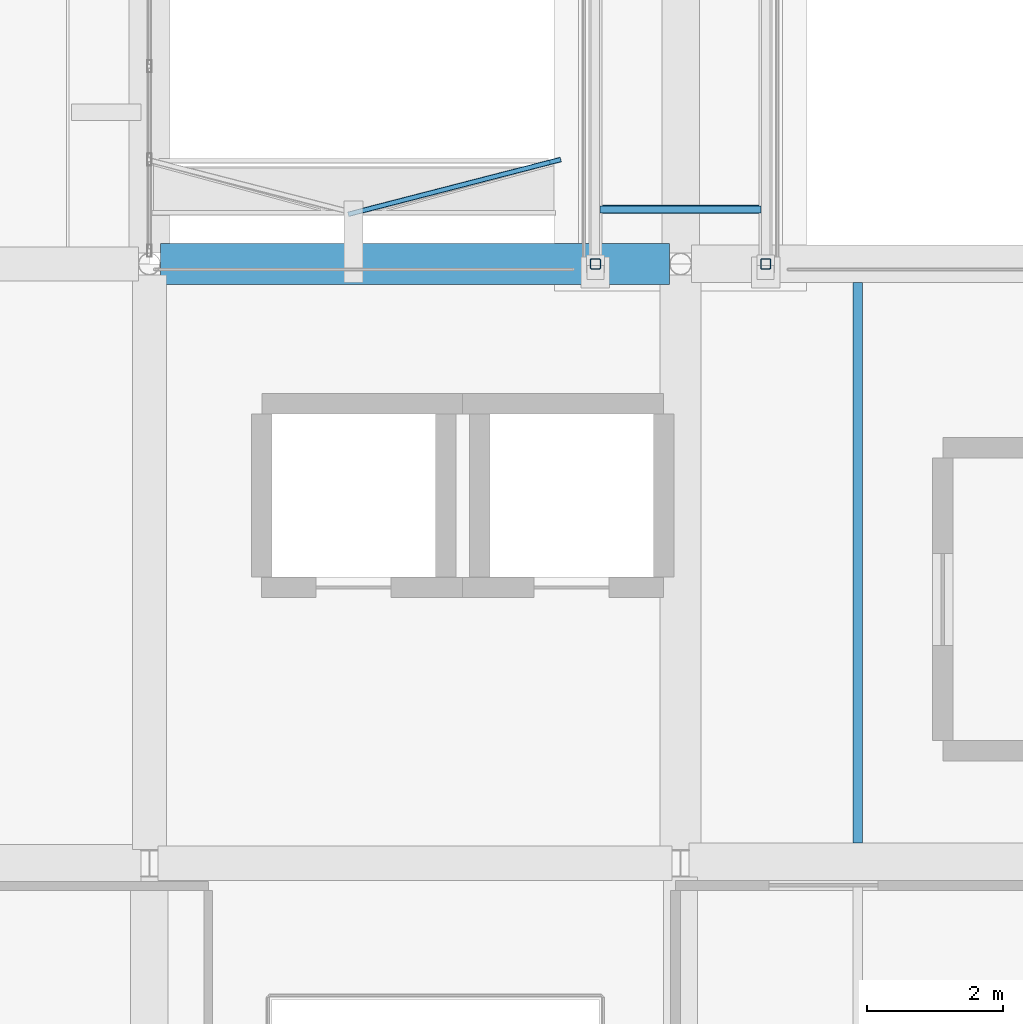
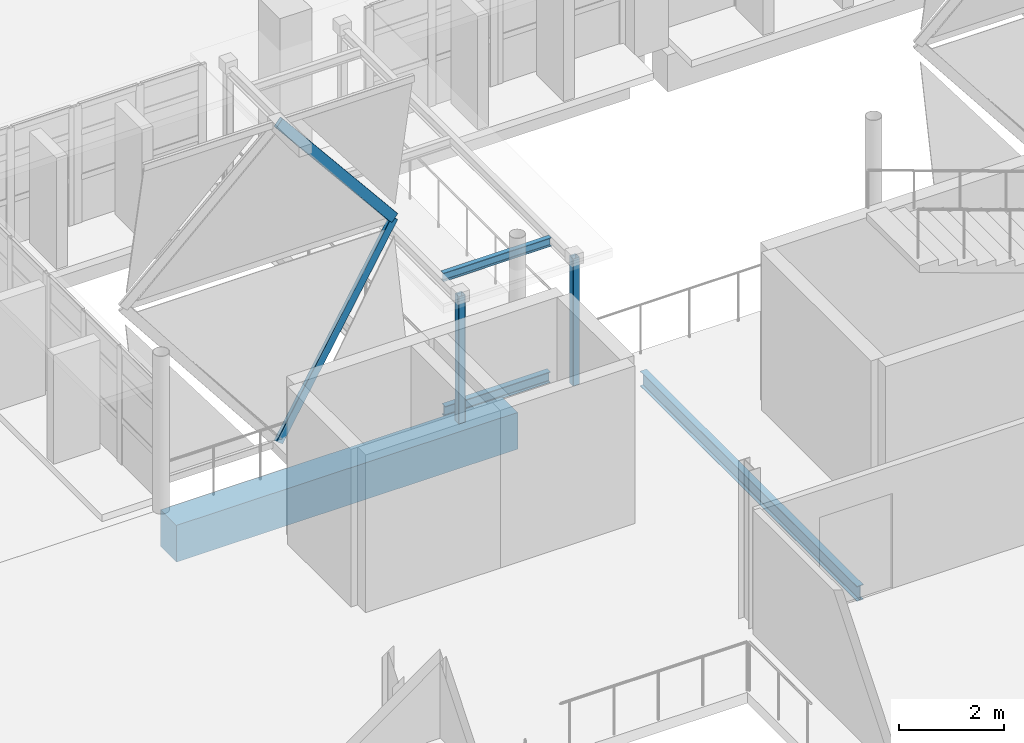
# One storey, part 11 of 80: 4 beams, 4 members, 1 element without a shape of its own.
"""IFC4 building model written with IfcOpenShell, lengths in metres."""

from ifc_helpers import new_model, si_unit, direction, frame, origin, origin_2d, place, context, subcontext, project, spatial, rectangle, hollow_rectangle, i_section, extrude, material, material_profile, profile_set, type_object, element, aggregate, save


model = new_model("IFC4")

# Units and contexts
model_context = context("Model", 3, precision=1e-05, world=origin(), true_north=direction((0.0, 1.0)))
body_context = subcontext(model_context, "Body", "Model", "MODEL_VIEW")
ifc_project = project(units=[si_unit("LENGTHUNIT", "METRE"), si_unit("AREAUNIT", "SQUARE_METRE"), si_unit("VOLUMEUNIT", "CUBIC_METRE"), si_unit("PLANEANGLEUNIT", "RADIAN"), si_unit("MASSUNIT", "GRAM", prefix="KILO")], contexts=[model_context])

# Site, building, storey
site_placement = place(None, origin())
site = spatial("IfcSite", under=ifc_project, at=site_placement, CompositionType="ELEMENT")
building_placement = place(site_placement, origin())
building = spatial("IfcBuilding", under=site, at=building_placement, Name="Varnakota Cinema and Media Centre", CompositionType="ELEMENT")
storey_placement = place(building_placement, frame((0.0, 0.0, 4.5)))
storey = spatial("IfcBuildingStorey", under=building, at=storey_placement, Name="L01", CompositionType="ELEMENT", Elevation=4.5)

# Beams
ifc_material_1 = material(Name="Concrete M35", Category="concrete")
ifc_material_profile_1 = material_profile(ifc_material_1, rectangle(XDim=0.60009765625, YDim=0.85009765625, at=origin_2d()), Name="RCB 600x850")
ifc_profile_set_1 = profile_set([ifc_material_profile_1], Name="Concrete M35")
beam_type_1 = type_object("IfcBeamType", Name="BM-RC-600x850", PredefinedType="BEAM", material=ifc_profile_set_1)
beam_1_placement = place(storey_placement, frame((51.761962890625, 26.39990234375, -0.675048828125), z_axis=(1.0, 0.0, 0.0), x_axis=(0.0, 1.0, 0.0)))
element("IfcBeam", 1, at=beam_1_placement, inside=storey, type_object=beam_type_1, Name="L01 girder G-H/4", PredefinedType="BEAM", context=body_context, shape_type="SweptSolid", body=[
    extrude(rectangle(XDim=0.60009765625, YDim=0.85009765625, at=origin_2d()), origin(), (0.0, 0.0, 1.0), 7.47607421875),
])
ifc_material_2 = material(Name="Structural steel Grade 350 (E350)", Category="steel")
ifc_material_profile_2 = material_profile(ifc_material_2, i_section(OverallWidth=0.10009765625, OverallDepth=0.199951171875, WebThickness=0.005615234375, FlangeThickness=0.0107421875, FilletRadius=0.010986328125, at=origin_2d()), Name="ISMB 200")
ifc_profile_set_2 = profile_set([ifc_material_profile_2], Name="Structural steel Grade 350 (E350)")
beam_type_2 = type_object("IfcBeamType", Name="BM-ST-ISMB200", PredefinedType="JOIST", material=ifc_profile_set_2)
beam_2_placement = place(storey_placement, frame((58.219970703125, 27.199951171875, 2.590087890625), z_axis=(1.0, 0.0, 0.0), x_axis=(0.0, 1.0, 0.0)))
element("IfcBeam", 2, at=beam_2_placement, inside=storey, type_object=beam_type_2, Name="L01 Chowk sky-bridge BR1 canopy tie 1", PredefinedType="JOIST", context=body_context, shape_type="SweptSolid", body=[
    extrude(i_section(OverallWidth=0.10009765625, OverallDepth=0.199951171875, WebThickness=0.005615234375, FlangeThickness=0.0107421875, FilletRadius=0.010986328125, at=origin_2d()), origin(), (0.0, 0.0, 1.0), 2.360107421875),
])
ifc_material_3 = material(Name="Structural steel Grade 350 (E350)", Category="steel")
ifc_material_profile_3 = material_profile(ifc_material_3, i_section(OverallWidth=0.125, OverallDepth=0.25, WebThickness=0.0068359375, FlangeThickness=0.012451171875, FilletRadius=0.012939453125, at=origin_2d()), Name="ISMB 250")
ifc_profile_set_3 = profile_set([ifc_material_profile_3], Name="Structural steel Grade 350 (E350)")
beam_type_3 = type_object("IfcBeamType", Name="BM-ST-ISMB250", PredefinedType="JOIST", material=ifc_profile_set_3)
beam_3_placement = place(storey_placement, frame((58.25, 27.199951171875, -0.52490234375), z_axis=(1.0, 0.0, 0.0), x_axis=(0.0, 1.0, 0.0)))
element("IfcBeam", 3, at=beam_3_placement, inside=storey, type_object=beam_type_3, Name="L01 Chowk sky-bridge BR1 cross beam 1", PredefinedType="JOIST", context=body_context, shape_type="SweptSolid", body=[
    extrude(i_section(OverallWidth=0.125, OverallDepth=0.25, WebThickness=0.0068359375, FlangeThickness=0.012451171875, FilletRadius=0.012939453125, at=origin_2d()), origin(), (0.0, 0.0, 1.0), 2.300048828125),
])
ifc_material_4 = material(Name="Structural steel Grade 350 (E350)", Category="steel")
ifc_material_profile_4 = material_profile(ifc_material_4, i_section(OverallWidth=0.139892578125, OverallDepth=0.35009765625, WebThickness=0.008056640625, FlangeThickness=0.01416015625, FilletRadius=0.013916015625, at=origin_2d()), Name="ISMB 350")
ifc_profile_set_4 = profile_set([ifc_material_profile_4], Name="Structural steel Grade 350 (E350)")
beam_type_4 = type_object("IfcBeamType", Name="BM-ST-ISMB350", PredefinedType="JOIST", material=ifc_profile_set_4)
beam_4_placement = place(storey_placement, frame((62.0, 17.89990234375, -0.425048828125), z_axis=(0.0, 1.0, 0.0), x_axis=(-1.0, 0.0, 0.0)))
element("IfcBeam", 4, at=beam_4_placement, inside=storey, type_object=beam_type_4, Name="L01 steel joist H-J/3-4 #1", PredefinedType="JOIST", context=body_context, shape_type="SweptSolid", body=[
    extrude(i_section(OverallWidth=0.139892578125, OverallDepth=0.35009765625, WebThickness=0.008056640625, FlangeThickness=0.01416015625, FilletRadius=0.013916015625, at=origin_2d()), origin(), (0.0, 0.0, 1.0), 8.22509765625),
])

# Curtain wall, members
ifc_material_5 = material(Name="Anodised golden-bronze aluminium AW-6063", Category="aluminium")
curtain_wall_type = type_object("IfcCurtainWallType", Name="CW-DMD-600x750", PredefinedType="USERDEFINED", material=ifc_material_5)
curtain_wall_placement = place(storey_placement, origin())
curtain_wall = element("IfcCurtainWall", 5, at=curtain_wall_placement, inside=storey, type_object=curtain_wall_type, Name="L01 folded diamond foyer curtain wall CW-V6DMD-N-T1W-D01", ObjectType="DIAMOND FOLDED CURTAIN WALL", PredefinedType="USERDEFINED")
ifc_material_6 = material(Name="Anodised golden-bronze aluminium AW-6063", Category="aluminium")
ifc_material_profile_5 = material_profile(ifc_material_6, hollow_rectangle(XDim=0.074951171875, YDim=0.219970703125, WallThickness=0.0048828125, InnerFilletRadius=0.0048828125, OuterFilletRadius=0.010009765625, at=origin_2d()), Name="AL-MULLION 220x75x5")
ifc_profile_set_5 = profile_set([ifc_material_profile_5], Name="Anodised golden-bronze aluminium AW-6063")
member_type_1 = type_object("IfcMemberType", Name="CWM-GOLD-220", PredefinedType="MULLION", material=ifc_profile_set_5)
member_1_placement = place(storey_placement, frame((54.60009765625, 27.14990234375, 0.050048828125), z_axis=(0.616751101329, 0.158969580308, 0.770938876661), x_axis=(-0.249595383611, 0.968350217886, 0.0)))
member_1 = element("IfcMember", 6, at=member_1_placement, type_object=member_type_1, Name="CW-V6DMD-N-T1W-D01 folded diamond mullion 2", PredefinedType="MULLION", context=body_context, shape_type="SweptSolid", body=[
    extrude(hollow_rectangle(XDim=0.074951171875, YDim=0.219970703125, WallThickness=0.0048828125, InnerFilletRadius=0.0048828125, OuterFilletRadius=0.010009765625, at=origin_2d()), origin(), (0.0, 0.0, 1.0), 4.79931640625),
])
member_2_placement = place(storey_placement, frame((57.56005859375, 27.912841796875, 3.75), z_axis=(-0.616751101329, -0.158969580308, 0.770938876661), x_axis=(0.249595383611, -0.968350217886, 0.0)))
member_2 = element("IfcMember", 7, at=member_2_placement, type_object=member_type_1, Name="CW-V6DMD-N-T1W-D01 folded diamond mullion 4", PredefinedType="MULLION", context=body_context, shape_type="SweptSolid", body=[
    extrude(hollow_rectangle(XDim=0.074951171875, YDim=0.219970703125, WallThickness=0.0048828125, InnerFilletRadius=0.0048828125, OuterFilletRadius=0.010009765625, at=origin_2d()), origin(), (0.0, 0.0, 1.0), 4.79931640625),
])
aggregate(curtain_wall, [member_1, member_2])

# Members
ifc_material_7 = material(Name="Structural steel S355 (YSt 355)", Category="steel")
ifc_material_profile_6 = material_profile(ifc_material_7, hollow_rectangle(XDim=0.14990234375, YDim=0.14990234375, WallThickness=0.008056640625, InnerFilletRadius=0.008056640625, OuterFilletRadius=0.01611328125, at=origin_2d()), Name="SHS 150x150x8")
ifc_profile_set_6 = profile_set([ifc_material_profile_6], Name="Structural steel S355 (YSt 355)")
member_type_2 = type_object("IfcMemberType", Name="MEM-ST-SHS150x150x8", PredefinedType="STRUT", material=ifc_profile_set_6)
for number, where, z_axis, x_axis, name in (
    (8, (58.14990234375, 26.39990234375, -0.25), (0.0, 0.0, 1.0), (1.0, 0.0, 0.0), "L01 Chowk sky-bridge BR1 canopy frame strut 1.1"),
    (9, (60.64990234375, 26.39990234375, -0.25), (0.0, 0.0, 1.0), (1.0, 0.0, 0.0), "L01 Chowk sky-bridge BR1 canopy frame strut 2.1"),
):
    element("IfcMember", number, at=place(storey_placement, frame(where, z_axis=z_axis, x_axis=x_axis)), inside=storey, type_object=member_type_2, Name=name, PredefinedType="STRUT", context=body_context, shape_type="SweptSolid", body=[
        extrude(hollow_rectangle(XDim=0.14990234375, YDim=0.14990234375, WallThickness=0.008056640625, InnerFilletRadius=0.008056640625, OuterFilletRadius=0.01611328125, at=origin_2d()), origin(), (0.0, 0.0, 1.0), 2.93994140625),
    ])

save(model, "model.ifc")
